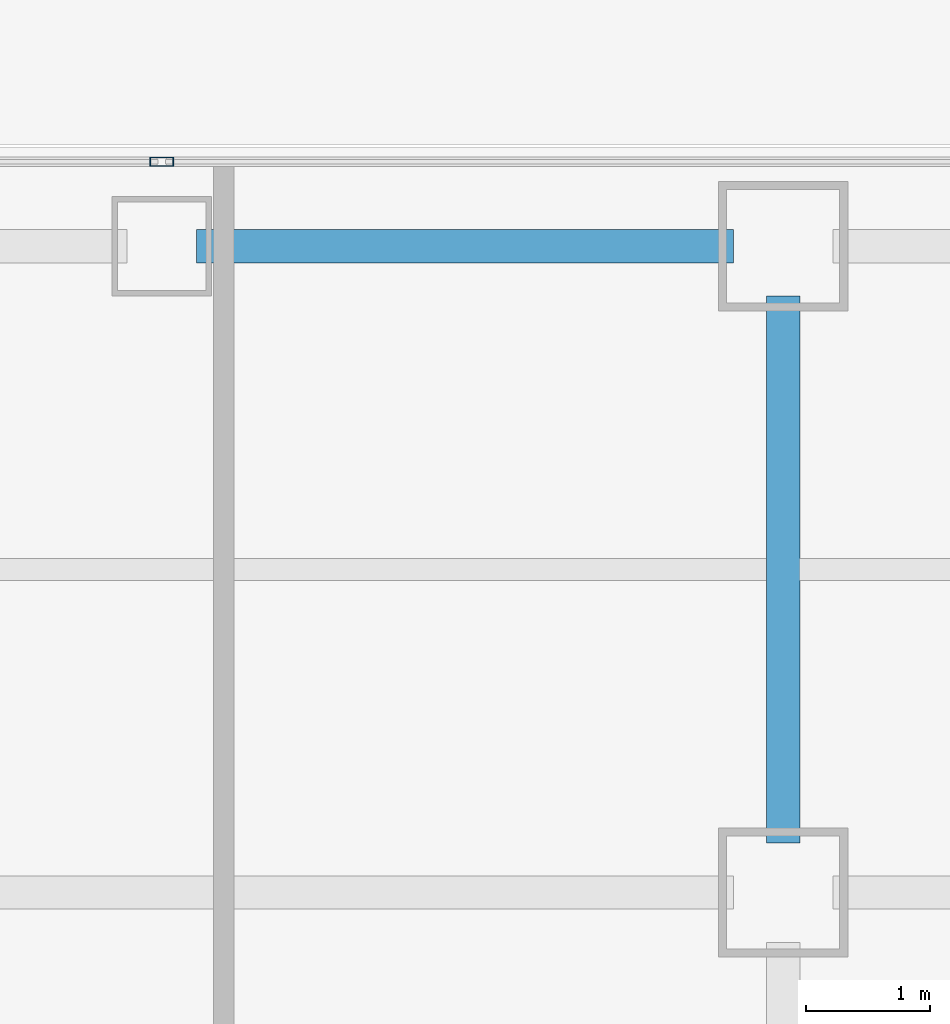
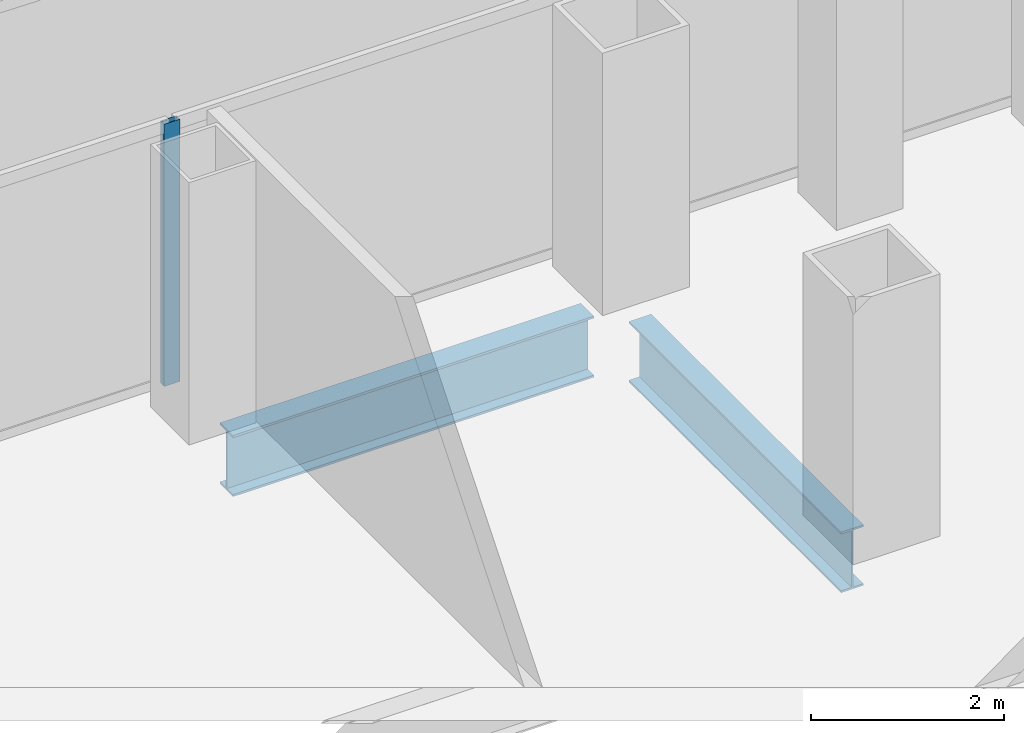
# One storey, part 13 of 21: 2 beams, 1 member, 1 element without a shape of its own.
"""IFC4 building model written with IfcOpenShell, lengths in metres."""

from ifc_helpers import new_model, si_unit, direction, frame, origin, origin_2d, place, context, subcontext, project, spatial, hollow_rectangle, i_section, extrude, source, transform, mapped, material, layer, layer_set, material_profile, profile_set, type_object, element, aggregate, save


model = new_model("IFC4")

# Units and contexts
model_context = context("Model", 3, precision=1e-05, world=origin(), true_north=direction((0.0, 1.0)))
body_context = subcontext(model_context, "Body", "Model", "MODEL_VIEW")
ifc_project = project(units=[si_unit("LENGTHUNIT", "METRE"), si_unit("AREAUNIT", "SQUARE_METRE"), si_unit("VOLUMEUNIT", "CUBIC_METRE"), si_unit("PLANEANGLEUNIT", "RADIAN"), si_unit("MASSUNIT", "GRAM", prefix="KILO")], contexts=[model_context])

# Site, building, storey
site_placement = place(None, origin())
site = spatial("IfcSite", under=ifc_project, at=site_placement, CompositionType="ELEMENT")
building_placement = place(site_placement, origin())
building = spatial("IfcBuilding", under=site, at=building_placement, Name="Kolveth Station Tower", CompositionType="ELEMENT")
storey_placement = place(building_placement, frame((0.0, 0.0, 26.10009765625)))
storey = spatial("IfcBuildingStorey", under=building, at=storey_placement, Name="L06", CompositionType="ELEMENT", Elevation=26.10009765625)

# Beams
ifc_material_1 = material(Name="Steel S355", Category="steel")
ifc_material_profile_1 = material_profile(ifc_material_1, i_section(OverallWidth=0.26904296875, OverallDepth=0.77490234375, WebThickness=0.01708984375, FlangeThickness=0.0283203125, at=origin_2d()), Name="W760x220")
ifc_profile_set_1 = profile_set([ifc_material_profile_1], Name="Steel S355")
beam_type_1 = type_object("IfcBeamType", Name="Beam_SP1", PredefinedType="SPANDREL", material=ifc_profile_set_1)
shared_shape_1 = source(origin(), body_context, "Body", "SweptSolid", [
    extrude(i_section(OverallWidth=0.26904296875, OverallDepth=0.77490234375, WebThickness=0.01708984375, FlangeThickness=0.0283203125, at=origin_2d()), origin(), (0.0, 0.0, 1.0), 4.320068359375),
])
beam_1_placement = place(storey_placement, frame((23.780029296875, 39.699951171875, -0.66748046875), z_axis=(1.0, 0.0, 0.0), x_axis=(0.0, 1.0, 0.0)))
element("IfcBeam", 1, at=beam_1_placement, inside=storey, type_object=beam_type_1, Name="L06 Perimeter Spandrel BM-L06-PN-6", PredefinedType="SPANDREL", context=body_context, shape_type="MappedRepresentation", body=[
    mapped(shared_shape_1, transform((0.0, 0.0, 0.0), x_axis=(1.0, 0.0, 0.0), y_axis=(0.0, 1.0, 0.0), z_axis=(0.0, 0.0, 1.0), scale=1.0)),
])
ifc_material_profile_2 = material_profile(ifc_material_1, i_section(OverallWidth=0.26708984375, OverallDepth=0.76611328125, WebThickness=0.014892578125, FlangeThickness=0.023681640625, at=origin_2d()), Name="W760x185")
ifc_profile_set_2 = profile_set([ifc_material_profile_2], Name="Steel S355")
beam_type_2 = type_object("IfcBeamType", Name="Beam_B3", PredefinedType="BEAM", material=ifc_profile_set_2)
shared_shape_2 = source(origin(), body_context, "Body", "SweptSolid", [
    extrude(i_section(OverallWidth=0.26708984375, OverallDepth=0.76611328125, WebThickness=0.014892578125, FlangeThickness=0.023681640625, at=origin_2d()), origin(), (0.0, 0.0, 1.0), 4.400146484375),
])
beam_2_placement = place(storey_placement, frame((28.5, 34.89990234375, -0.6630859375), z_axis=(0.0, 1.0, 0.0), x_axis=(-1.0, 0.0, 0.0)))
element("IfcBeam", 2, at=beam_2_placement, inside=storey, type_object=beam_type_2, Name="L06 Primary Girder BM-L06-GX285-7", PredefinedType="BEAM", context=body_context, shape_type="MappedRepresentation", body=[
    mapped(shared_shape_2, transform((0.0, 0.0, 0.0), x_axis=(1.0, 0.0, 0.0), y_axis=(0.0, 1.0, 0.0), z_axis=(0.0, 0.0, 1.0), scale=1.0)),
])

# Curtain wall, member
ifc_material_2 = material(Name="Aluminium 6063-T6 and low-E dark glass", Category="aluminium")
ifc_layer = layer(ifc_material_2, 0.179931640625)
ifc_layer_set = layer_set([ifc_layer], Name="Aluminium 6063-T6 and low-E dark glass")
curtain_wall_type = type_object("IfcCurtainWallType", Name="CurtainWall_CW-Z1", PredefinedType="NOTDEFINED", material=ifc_layer_set)
curtain_wall_placement = place(storey_placement, origin())
curtain_wall = element("IfcCurtainWall", 3, at=curtain_wall_placement, inside=storey, type_object=curtain_wall_type, Name="L06 Inner Thermal Curtain Wall 6", PredefinedType="NOTDEFINED")
ifc_material_3 = material(Name="Black anodized aluminium 6063-T6", Category="aluminium")
ifc_material_profile_3 = material_profile(ifc_material_3, hollow_rectangle(XDim=0.074951171875, YDim=0.18994140625, WallThickness=0.0048828125, at=origin_2d()), Name="ALU-75x190x5")
ifc_profile_set_3 = profile_set([ifc_material_profile_3], Name="Black anodized aluminium 6063-T6")
member_type = type_object("IfcMemberType", Name="Mullion_ML1", PredefinedType="MULLION", material=ifc_profile_set_3)
shared_shape_3 = source(origin(), body_context, "Body", "SweptSolid", [
    extrude(hollow_rectangle(XDim=0.074951171875, YDim=0.18994140625, WallThickness=0.0048828125, at=origin_2d()), origin(), (0.0, 0.0, 1.0), 3.31982421875),
])
member_placement = place(storey_placement, frame((23.5, 40.3798828125, 0.0), z_axis=(0.0, 0.0, 1.0), x_axis=(0.0, -1.0, 0.0)))
member = element("IfcMember", 4, at=member_placement, type_object=member_type, Name="CW-Z1 mullion 2", PredefinedType="MULLION", context=body_context, shape_type="MappedRepresentation", body=[
    mapped(shared_shape_3, transform((0.0, 0.0, 0.0), x_axis=(1.0, 0.0, 0.0), y_axis=(0.0, 1.0, 0.0), z_axis=(0.0, 0.0, 1.0), scale=1.0)),
])
aggregate(curtain_wall, [member])

save(model, "model.ifc")
